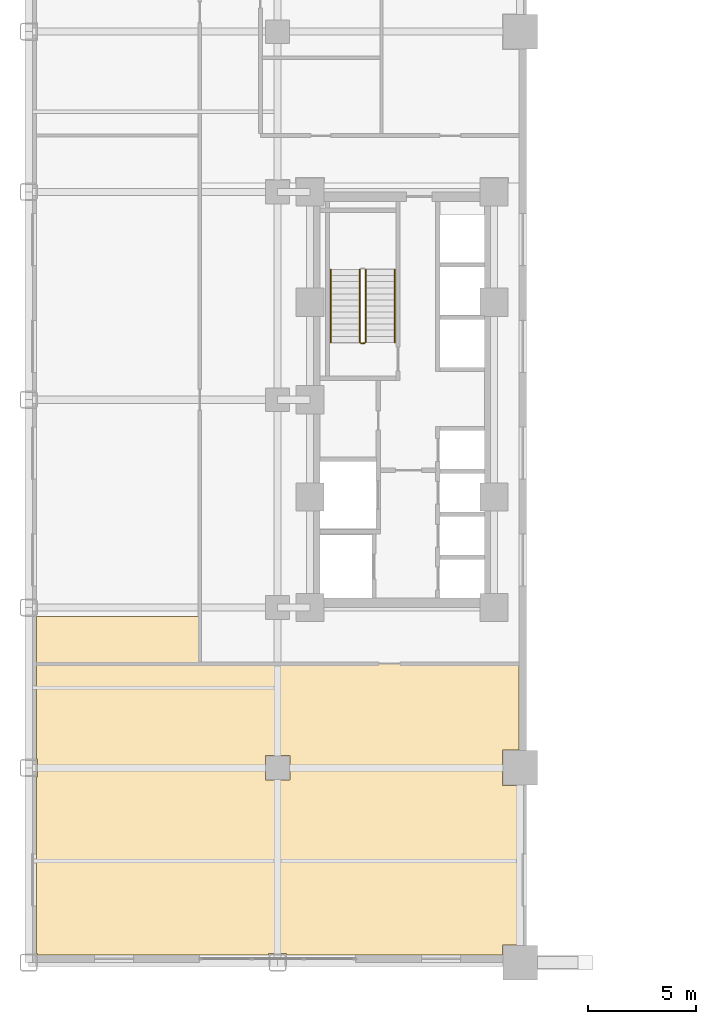
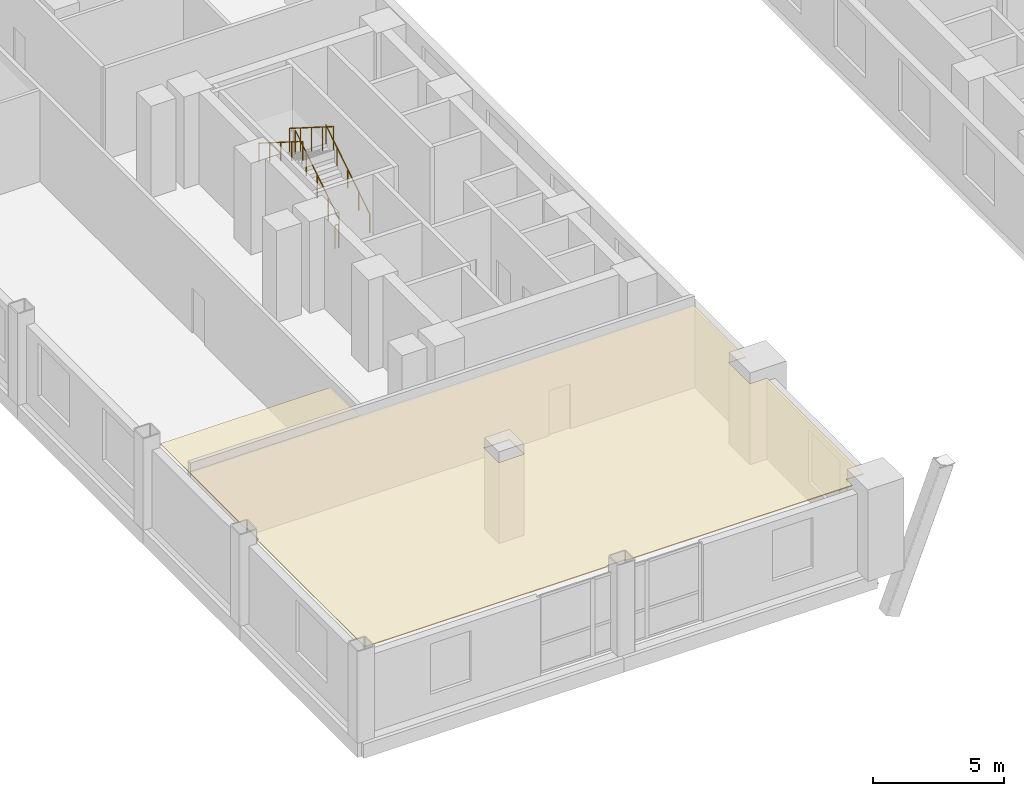
# One storey, part 12 of 15: 5 railings, 2 coverings.
"""IFC4 building model written with IfcOpenShell, lengths in metres."""

from ifc_helpers import new_model, si_unit, direction, frame, origin, origin_2d, place, context, subcontext, project, spatial, polyline, circle, outline, extrude, material, layer, layer_set, type_object, element, save


model = new_model("IFC4")

# Units and contexts
model_context = context("Model", 3, precision=1e-05, world=origin(), true_north=direction((0.0, 1.0)))
body_context = subcontext(model_context, "Body", "Model", "MODEL_VIEW")
ifc_project = project(units=[si_unit("LENGTHUNIT", "METRE"), si_unit("AREAUNIT", "SQUARE_METRE"), si_unit("VOLUMEUNIT", "CUBIC_METRE"), si_unit("PLANEANGLEUNIT", "RADIAN"), si_unit("MASSUNIT", "GRAM", prefix="KILO")], contexts=[model_context])

# Site, building, storey
site_placement = place(None, origin())
site = spatial("IfcSite", under=ifc_project, at=site_placement, CompositionType="ELEMENT")
building_placement = place(site_placement, origin())
building = spatial("IfcBuilding", under=site, at=building_placement, Name="Nuvemarco Arch Tower", CompositionType="ELEMENT")
storey_placement = place(building_placement, frame((0.0, 0.0, 9.199951171875)))
storey = spatial("IfcBuildingStorey", under=building, at=storey_placement, Name="L02", CompositionType="ELEMENT", Elevation=9.199951171875)

# Coverings
ifc_material_1 = material(Name="Mineral acoustic ceiling tile")
ifc_layer = layer(ifc_material_1, 0.0400390625, Name="COV-ACOUSTIC-CLG")
ifc_layer_set = layer_set([ifc_layer], Name="Mineral acoustic ceiling tile")
covering_type = type_object("IfcCoveringType", Name="COV-ACOUSTIC-CLG", PredefinedType="CEILING", material=ifc_layer_set)
covering_1_placement = place(storey_placement, frame((0.0, 0.0, 3.760009765625)))
element("IfcCovering", 1, at=covering_1_placement, inside=storey, type_object=covering_type, Name="L02 suspended acoustic ceiling 1", PredefinedType="CEILING", context=body_context, shape_type="SweptSolid", body=[
    extrude(outline(polyline([(-30.0849609375, -25.5849609375), (-30.139892578125, -25.5849609375), (-30.139892578125, -17.4150390625), (-30.0849609375, -17.4150390625), (-30.0849609375, -16.5849609375), (-30.139892578125, -16.5849609375), (-30.139892578125, -12.199951171875), (-22.60009765625, -12.199951171875), (-19.800048828125, -12.199951171875), (-7.860107421875, -12.199951171875), (-7.860107421875, -16.18505859375), (-8.614990234375, -16.18505859375), (-8.614990234375, -17.81494140625), (-7.860107421875, -17.81494140625), (-7.860107421875, -25.18505859375), (-8.614990234375, -25.18505859375), (-8.614990234375, -25.639892578125), (-18.5849609375, -25.639892578125), (-18.5849609375, -25.5849609375), (-19.4150390625, -25.5849609375), (-19.4150390625, -25.639892578125), (-30.0849609375, -25.639892578125), (-30.0849609375, -25.5849609375)]), holes=[polyline([(-18.43505859375, -16.43505859375), (-19.56494140625, -16.43505859375), (-19.56494140625, -17.56494140625), (-18.43505859375, -17.56494140625), (-18.43505859375, -16.43505859375)])]), origin(), (0.0, 0.0, 1.0), 0.0400390625),
])
covering_2_placement = place(storey_placement, frame((0.0, 0.0, 3.760009765625)))
element("IfcCovering", 2, at=covering_2_placement, inside=storey, type_object=covering_type, Name="L02 suspended acoustic ceiling 3", PredefinedType="CEILING", context=body_context, shape_type="SweptSolid", body=[
    extrude(outline(polyline([(-30.139892578125, -10.014892578125), (-30.0849609375, -10.014892578125), (-30.0849609375, -10.0), (-22.60009765625, -10.0), (-22.60009765625, -12.199951171875), (-30.139892578125, -12.199951171875), (-30.139892578125, -10.014892578125)])), origin(), (0.0, 0.0, 1.0), 0.0400390625),
])

# Railings
ifc_material_2 = material(Name="Brushed stainless steel handrail", Category="steel")
railing_type_1 = type_object("IfcRailingType", Name="RL-HANDRAIL-900", PredefinedType="HANDRAIL", material=ifc_material_2)
railing_1_placement = place(storey_placement, frame((-13.590087890625, 2.64990234375, 0.177001953125)))
element("IfcRailing", 3, at=railing_1_placement, inside=storey, type_object=railing_type_1, Name="L02 ST-1 stair handrail 1", PredefinedType="HANDRAIL", context=body_context, shape_type="SweptSolid", body=[
    extrude(circle(Radius=0.02392578125, at=origin_2d()), frame((0.0, 0.0, 0.8759765625), z_axis=(0.0, 0.845389635667, 0.534150132366), x_axis=(-1.0, 0.0, 0.0)), (0.0, 0.0, 1.0), 3.974609375),
    extrude(circle(Radius=0.02099609375, at=origin_2d()), origin(), (0.0, 0.0, 1.0), 0.851806640625),
    extrude(circle(Radius=0.02099609375, at=origin_2d()), frame((0.0, 0.840087890625, 0.53076171875)), (0.0, 0.0, 1.0), 0.851806640625),
    extrude(circle(Radius=0.02099609375, at=origin_2d()), frame((0.0, 1.68017578125, 1.0615234375)), (0.0, 0.0, 1.0), 0.851806640625),
    extrude(circle(Radius=0.02099609375, at=origin_2d()), frame((0.0, 2.52001953125, 1.59228515625)), (0.0, 0.0, 1.0), 0.851806640625),
    extrude(circle(Radius=0.02099609375, at=origin_2d()), frame((0.0, 3.360107421875, 2.123046875)), (0.0, 0.0, 1.0), 0.851806640625),
])
railing_2_placement = place(storey_placement, frame((-16.550048828125, 6.010009765625, 2.47705078125)))
element("IfcRailing", 4, at=railing_2_placement, inside=storey, type_object=railing_type_1, Name="L02 ST-1 stair handrail 2", PredefinedType="HANDRAIL", context=body_context, shape_type="SweptSolid", body=[
    extrude(circle(Radius=0.02392578125, at=origin_2d()), frame((0.0, 0.0, 0.8759765625), z_axis=(0.0, -0.845389635667, 0.534150132366), x_axis=(1.0, 0.0, 0.0)), (0.0, 0.0, 1.0), 3.974609375),
    extrude(circle(Radius=0.02099609375, at=origin_2d()), origin(), (0.0, 0.0, 1.0), 0.851806640625),
    extrude(circle(Radius=0.02099609375, at=origin_2d()), frame((0.0, -0.840087890625, 0.53076171875)), (0.0, 0.0, 1.0), 0.851806640625),
    extrude(circle(Radius=0.02099609375, at=origin_2d()), frame((0.0, -1.68017578125, 1.0615234375)), (0.0, 0.0, 1.0), 0.851806640625),
    extrude(circle(Radius=0.02099609375, at=origin_2d()), frame((0.0, -2.52001953125, 1.59228515625)), (0.0, 0.0, 1.0), 0.851806640625),
    extrude(circle(Radius=0.02099609375, at=origin_2d()), frame((0.0, -3.360107421875, 2.123046875)), (0.0, 0.0, 1.0), 0.851806640625),
])
ifc_material_3 = material(Name="Painted balustrade steel S355", Category="steel")
railing_type_2 = type_object("IfcRailingType", Name="RL-STAIR-GUARD", PredefinedType="GUARDRAIL", material=ifc_material_3)
railing_3_placement = place(storey_placement, frame((-14.93994140625, 2.64990234375, 0.177001953125)))
element("IfcRailing", 5, at=railing_3_placement, inside=storey, type_object=railing_type_2, Name="L02 ST-1 stair guard 1", PredefinedType="GUARDRAIL", context=body_context, shape_type="SweptSolid", body=[
    extrude(circle(Radius=0.02392578125, at=origin_2d()), frame((0.0, 0.0, 1.09619140625), z_axis=(0.0, 0.845389635667, 0.534150132366), x_axis=(-1.0, 0.0, 0.0)), (0.0, 0.0, 1.0), 3.974609375),
    extrude(circle(Radius=0.02099609375, at=origin_2d()), origin(), (0.0, 0.0, 1.0), 1.072021484375),
    extrude(circle(Radius=0.02099609375, at=origin_2d()), frame((0.0, 0.840087890625, 0.53076171875)), (0.0, 0.0, 1.0), 1.072021484375),
    extrude(circle(Radius=0.02099609375, at=origin_2d()), frame((0.0, 1.68017578125, 1.0615234375)), (0.0, 0.0, 1.0), 1.072021484375),
    extrude(circle(Radius=0.02099609375, at=origin_2d()), frame((0.0, 2.52001953125, 1.59228515625)), (0.0, 0.0, 1.0), 1.072021484375),
    extrude(circle(Radius=0.02099609375, at=origin_2d()), frame((0.0, 3.360107421875, 2.123046875)), (0.0, 0.0, 1.0), 1.072021484375),
])
railing_4_placement = place(storey_placement, frame((-15.199951171875, 6.010009765625, 2.47705078125)))
element("IfcRailing", 6, at=railing_4_placement, inside=storey, type_object=railing_type_2, Name="L02 ST-1 stair guard 3", PredefinedType="GUARDRAIL", context=body_context, shape_type="SweptSolid", body=[
    extrude(circle(Radius=0.02392578125, at=origin_2d()), frame((0.0, 0.0, 1.09619140625), z_axis=(0.0, -0.845389635667, 0.534150132366), x_axis=(1.0, 0.0, 0.0)), (0.0, 0.0, 1.0), 3.974609375),
    extrude(circle(Radius=0.02099609375, at=origin_2d()), origin(), (0.0, 0.0, 1.0), 1.072021484375),
    extrude(circle(Radius=0.02099609375, at=origin_2d()), frame((0.0, -0.840087890625, 0.53076171875)), (0.0, 0.0, 1.0), 1.072021484375),
    extrude(circle(Radius=0.02099609375, at=origin_2d()), frame((0.0, -1.68017578125, 1.0615234375)), (0.0, 0.0, 1.0), 1.072021484375),
    extrude(circle(Radius=0.02099609375, at=origin_2d()), frame((0.0, -2.52001953125, 1.59228515625)), (0.0, 0.0, 1.0), 1.072021484375),
    extrude(circle(Radius=0.02099609375, at=origin_2d()), frame((0.0, -3.360107421875, 2.123046875)), (0.0, 0.0, 1.0), 1.072021484375),
])
railing_5_placement = place(storey_placement, frame((-14.989990234375, 2.60009765625, 0.0)))
element("IfcRailing", 7, at=railing_5_placement, inside=storey, type_object=railing_type_2, Name="L02 ST-1 stair guard 4", PredefinedType="GUARDRAIL", context=body_context, shape_type="SweptSolid", body=[
    extrude(circle(Radius=0.02392578125, at=origin_2d()), frame((0.0, 0.0, 1.09619140625), z_axis=(-1.0, 0.0, 0.0), x_axis=(0.0, -1.0, 0.0)), (0.0, 0.0, 1.0), 0.159912109375),
    extrude(circle(Radius=0.02099609375, at=origin_2d()), origin(), (0.0, 0.0, 1.0), 1.072021484375),
    extrude(circle(Radius=0.02099609375, at=origin_2d()), frame((-0.159912109375, 0.0, 0.0)), (0.0, 0.0, 1.0), 1.072021484375),
])

save(model, "model.ifc")
